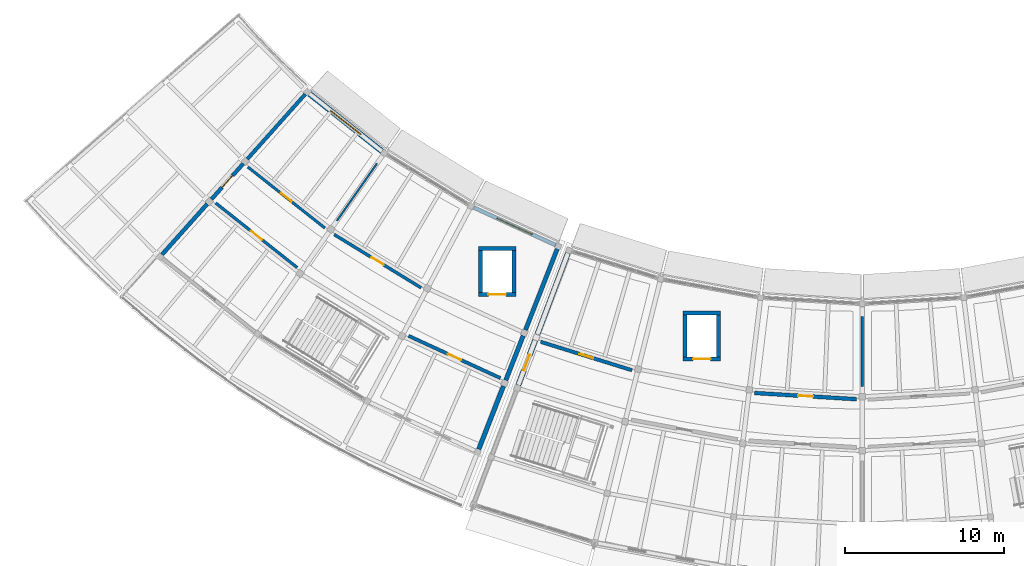
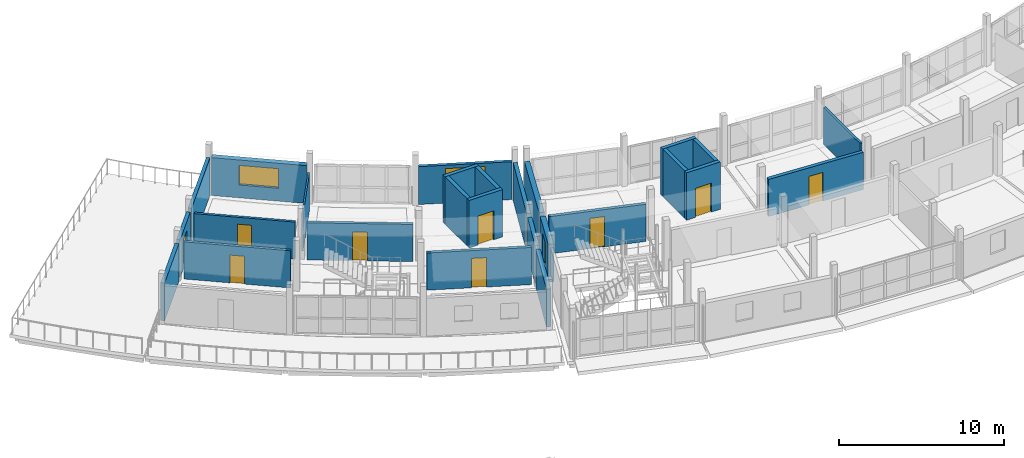
# One storey, part 26 of 36: 26 walls, 10 doors, 2 windows, 12 openings.
"""IFC4 building model written with IfcOpenShell, lengths in metres."""

from ifc_helpers import new_model, si_unit, direction, frame, frame_2d, origin, place, context, subcontext, project, spatial, rectangle, extrude, material, layer, layer_set, type_object, element, fill, save


model = new_model("IFC4")

# Units and contexts
model_context = context("Model", 3, precision=1e-05, world=origin(), true_north=direction((0.0, 1.0)))
body_context = subcontext(model_context, "Body", "Model", "MODEL_VIEW")
ifc_project = project(units=[si_unit("LENGTHUNIT", "METRE"), si_unit("AREAUNIT", "SQUARE_METRE"), si_unit("VOLUMEUNIT", "CUBIC_METRE"), si_unit("PLANEANGLEUNIT", "RADIAN"), si_unit("MASSUNIT", "GRAM", prefix="KILO")], contexts=[model_context])

# Site, building, storey
site_placement = place(None, origin())
site = spatial("IfcSite", under=ifc_project, at=site_placement, CompositionType="ELEMENT")
building_placement = place(site_placement, origin())
building = spatial("IfcBuilding", under=site, at=building_placement, Name="Caldaven Crescent School", CompositionType="ELEMENT")
storey_placement = place(building_placement, frame((0.0, 0.0, 11.89990234375)))
storey = spatial("IfcBuildingStorey", under=building, at=storey_placement, Name="L03", CompositionType="ELEMENT", Elevation=11.89990234375)

# Wall
ifc_material_1 = material(Name="Concrete C35/45", Category="concrete")
ifc_layer_1 = layer(ifc_material_1, 0.300048828125)
ifc_layer_set_1 = layer_set([ifc_layer_1], Name="Concrete C35/45")
wall_type_1 = type_object("IfcWallType", Name="WAL-CW1", PredefinedType="SHEAR", material=ifc_layer_set_1)
wall_1_placement = place(storey_placement, frame((63.85107421875, 47.0380859375, 0.0), z_axis=(0.0, 0.0, 1.0), x_axis=(1.0, 0.0, 0.0)))
element("IfcWall", 1, at=wall_1_placement, inside=storey, type_object=wall_type_1, Name="CW-LF4-L03-N", PredefinedType="SHEAR", context=body_context, shape_type="SweptSolid", body=[
    extrude(rectangle(XDim=2.349853515625, YDim=0.25, at=frame_2d((1.1748046875, 0.0))), origin(), (0.0, 0.0, 1.0), 3.510009765625),
])

# Wall, opening, door
wall_2_placement = place(storey_placement, frame((63.85107421875, 44.13818359375, 0.0), z_axis=(0.0, 0.0, 1.0), x_axis=(1.0, 0.0, 0.0)))
wall_2 = element("IfcWall", 2, at=wall_2_placement, inside=storey, type_object=wall_type_1, Name="CW-LF4-L03-S", PredefinedType="SHEAR", context=body_context, shape_type="SweptSolid", body=[
    extrude(rectangle(XDim=2.349853515625, YDim=0.25, at=frame_2d((1.1748046875, 0.0))), origin(), (0.0, 0.0, 1.0), 3.510009765625),
])
opening_1_placement = place(wall_2_placement, frame((0.625, 0.0, 0.0)))
opening_1 = element("IfcOpeningElement", 3, at=opening_1_placement, cuts=wall_2, Name="Opening LD-LF4-L03", PredefinedType="OPENING", context=body_context, shape_type="SweptSolid", body=[
    extrude(rectangle(XDim=1.10009765625, YDim=2.14990234375, at=frame_2d((0.550048828125, 1.074951171875))), frame((0.0, 0.135009765625, 0.0), z_axis=(0.0, -1.0, 0.0), x_axis=(1.0, 0.0, 0.0)), (0.0, 0.0, 1.0), 0.27001953125),
])
ifc_material_2 = material(Name="Brushed stainless-steel automatic telescopic landing door", Category="steel")
door_type_1 = type_object("IfcDoorType", Name="DOR-LD01", OperationType="DOUBLE_DOOR_SLIDING", PredefinedType="DOOR", material=ifc_material_2)
door_1_placement = place(opening_1_placement, origin())
door_1 = element("IfcDoor", 4, at=door_1_placement, inside=storey, type_object=door_type_1, Name="DOR-LD-LF4-L03", OperationType="DOUBLE_DOOR_SLIDING", OverallHeight=2.14990234375, OverallWidth=1.10009765625, PredefinedType="DOOR", context=body_context, shape_type="SweptSolid", body=[
    extrude(rectangle(XDim=1.10009765625, YDim=2.14990234375, at=frame_2d((0.550048828125, 1.074951171875))), frame((0.0, 0.02490234375, 0.0), z_axis=(0.0, -1.0, 0.0), x_axis=(1.0, 0.0, 0.0)), (0.0, 0.0, 1.0), 0.050048828125),
])
fill(opening_1, door_1)

# Wall
wall_3_placement = place(storey_placement, frame((76.729248046875, 42.977783203125, 0.0), z_axis=(0.0, 0.0, 1.0), x_axis=(1.0, 0.0, 0.0)))
element("IfcWall", 5, at=wall_3_placement, inside=storey, type_object=wall_type_1, Name="CW-LF5-L03-N", PredefinedType="SHEAR", context=body_context, shape_type="SweptSolid", body=[
    extrude(rectangle(XDim=2.349853515625, YDim=0.25, at=frame_2d((1.1748046875, 0.0))), origin(), (0.0, 0.0, 1.0), 3.510009765625),
])

# Wall, opening, door
wall_4_placement = place(storey_placement, frame((76.729248046875, 40.07763671875, 0.0), z_axis=(0.0, 0.0, 1.0), x_axis=(1.0, 0.0, 0.0)))
wall_4 = element("IfcWall", 6, at=wall_4_placement, inside=storey, type_object=wall_type_1, Name="CW-LF5-L03-S", PredefinedType="SHEAR", context=body_context, shape_type="SweptSolid", body=[
    extrude(rectangle(XDim=2.349853515625, YDim=0.25, at=frame_2d((1.1748046875, 0.0))), origin(), (0.0, 0.0, 1.0), 3.510009765625),
])
opening_2_placement = place(wall_4_placement, frame((0.625, 0.0, 0.0)))
opening_2 = element("IfcOpeningElement", 7, at=opening_2_placement, cuts=wall_4, Name="Opening LD-LF5-L03", PredefinedType="OPENING", context=body_context, shape_type="SweptSolid", body=[
    extrude(rectangle(XDim=1.10009765625, YDim=2.14990234375, at=frame_2d((0.550048828125, 1.074951171875))), frame((0.0, 0.135009765625, 0.0), z_axis=(0.0, -1.0, 0.0), x_axis=(1.0, 0.0, 0.0)), (0.0, 0.0, 1.0), 0.27001953125),
])
door_2_placement = place(opening_2_placement, origin())
door_2 = element("IfcDoor", 8, at=door_2_placement, inside=storey, type_object=door_type_1, Name="DOR-LD-LF5-L03", OperationType="DOUBLE_DOOR_SLIDING", OverallHeight=2.14990234375, OverallWidth=1.10009765625, PredefinedType="DOOR", context=body_context, shape_type="SweptSolid", body=[
    extrude(rectangle(XDim=1.10009765625, YDim=2.14990234375, at=frame_2d((0.550048828125, 1.074951171875))), frame((0.0, 0.02490234375, 0.0), z_axis=(0.0, -1.0, 0.0), x_axis=(1.0, 0.0, 0.0)), (0.0, 0.0, 1.0), 0.050048828125),
])
fill(opening_2, door_2)

# Walls
ifc_layer_2 = layer(ifc_material_1, 0.25)
ifc_layer_set_2 = layer_set([ifc_layer_2], Name="Concrete C35/45")
wall_type_2 = type_object("IfcWallType", Name="WAL-CW2", PredefinedType="SHEAR", material=ifc_layer_set_2)
for number, where, z_axis, x_axis, name in (
    (9, (63.97607421875, 44.26318359375, 0.0), (0.0, 0.0, 1.0), (0.0, 1.0, 0.0), "CW-LF4-L03-W"),
    (10, (66.075927734375, 44.26318359375, 0.0), (0.0, 0.0, 1.0), (0.0, 1.0, 0.0), "CW-LF4-L03-E"),
):
    element("IfcWall", number, at=place(storey_placement, frame(where, z_axis=z_axis, x_axis=x_axis)), inside=storey, type_object=wall_type_2, Name=name, PredefinedType="SHEAR", context=body_context, shape_type="SweptSolid", body=[
        extrude(rectangle(XDim=2.64990234375, YDim=0.25, at=frame_2d((1.324951171875, 0.0))), origin(), (0.0, 0.0, 1.0), 3.510009765625),
    ])
for number, where, z_axis, x_axis, name in (
    (11, (76.854248046875, 40.20263671875, 0.0), (0.0, 0.0, 1.0), (0.0, 1.0, 0.0), "CW-LF5-L03-W"),
    (12, (78.9541015625, 40.20263671875, 0.0), (0.0, 0.0, 1.0), (0.0, 1.0, 0.0), "CW-LF5-L03-E"),
):
    element("IfcWall", number, at=place(storey_placement, frame(where, z_axis=z_axis, x_axis=x_axis)), inside=storey, type_object=wall_type_2, Name=name, PredefinedType="SHEAR", context=body_context, shape_type="SweptSolid", body=[
        extrude(rectangle(XDim=2.650146484375, YDim=0.25, at=frame_2d((1.3251953125, 0.0))), origin(), (0.0, 0.0, 1.0), 3.510009765625),
    ])

# Wall, opening, window
ifc_material_3 = material(Name="Precast concrete C35/45", Category="concrete")
ifc_layer_3 = layer(ifc_material_3, 0.2041015625)
ifc_layer_set_3 = layer_set([ifc_layer_3], Name="Precast concrete C35/45")
wall_type_3 = type_object("IfcWallType", Name="WAL-EW02", PredefinedType="STANDARD", material=ifc_layer_set_3)
wall_5_placement = place(storey_placement, frame((63.54248046875, 49.613037109375, 0.0), z_axis=(0.0, 0.0, 1.0), x_axis=(0.908521142785, -0.417838884156, 0.0)))
wall_5 = element("IfcWall", 13, at=wall_5_placement, inside=storey, type_object=wall_type_3, Name="EW-L03-197", PredefinedType="STANDARD", context=body_context, shape_type="SweptSolid", body=[
    extrude(rectangle(XDim=5.677490234375, YDim=0.2041015625, at=frame_2d((2.8388671875, 0.0))), origin(), (0.0, 0.0, 1.0), 2.800048828125),
])
opening_3_placement = place(wall_5_placement, frame((1.628662109375, 0.0, 0.949951171875)))
opening_3 = element("IfcOpeningElement", 14, at=opening_3_placement, cuts=wall_5, Name="Opening W48", PredefinedType="OPENING", context=body_context, shape_type="SweptSolid", body=[
    extrude(rectangle(XDim=2.419921875, YDim=1.60009765625, at=frame_2d((1.2099609375, 0.800048828125))), frame((0.0, 0.112060546875, 0.0), z_axis=(0.0, -1.0, 0.0), x_axis=(1.0, 0.0, 0.0)), (0.0, 0.0, 1.0), 0.22412109375),
])
ifc_material_4 = material(Name="Thermally broken anodised aluminium AA 6063-T6 and low-E double glazing", Category="aluminium")
window_type_1 = type_object("IfcWindowType", Name="WIN-W48", PartitioningType="SINGLE_PANEL", PredefinedType="WINDOW", material=ifc_material_4)
window_1_placement = place(opening_3_placement, origin())
window_1 = element("IfcWindow", 15, at=window_1_placement, inside=storey, type_object=window_type_1, Name="WIN-L03-095-1", OverallHeight=1.60009765625, OverallWidth=2.419921875, PartitioningType="SINGLE_PANEL", PredefinedType="WINDOW", context=body_context, shape_type="SweptSolid", body=[
    extrude(rectangle(XDim=2.419921875, YDim=1.60009765625, at=frame_2d((1.2099609375, 0.800048828125))), frame((0.0, 0.030029296875, 0.0), z_axis=(0.0, -1.0, 0.0), x_axis=(1.0, 0.0, 0.0)), (0.0, 0.0, 1.0), 0.06005859375),
])
fill(opening_3, window_1)

# Wall
ifc_layer_4 = layer(ifc_material_3, 0.22802734375)
ifc_layer_set_4 = layer_set([ifc_layer_4], Name="Precast concrete C35/45")
wall_type_4 = type_object("IfcWallType", Name="WAL-EW04", PredefinedType="STANDARD", material=ifc_layer_set_4)
wall_6_placement = place(storey_placement, frame((52.942138671875, 56.741943359375, 0.0), z_axis=(0.0, 0.0, 1.0), x_axis=(-0.666068996659, -0.745890133793, 0.0)))
element("IfcWall", 16, at=wall_6_placement, inside=storey, type_object=wall_type_4, Name="EW-L03-199", PredefinedType="STANDARD", context=body_context, shape_type="SweptSolid", body=[
    extrude(rectangle(XDim=5.46875, YDim=0.22802734375, at=frame_2d((2.734375, 0.0))), origin(), (0.0, 0.0, 1.0), 2.800048828125),
])

# Wall, opening, door
ifc_layer_5 = layer(ifc_material_3, 0.239990234375)
ifc_layer_set_5 = layer_set([ifc_layer_5], Name="Precast concrete C35/45")
wall_type_5 = type_object("IfcWallType", Name="WAL-EW05", PredefinedType="STANDARD", material=ifc_layer_set_5)
wall_7_placement = place(storey_placement, frame((49.03564453125, 52.367431640625, 0.0), z_axis=(0.0, 0.0, 1.0), x_axis=(-0.666077136643, -0.745882864826, 0.0)))
wall_7 = element("IfcWall", 17, at=wall_7_placement, inside=storey, type_object=wall_type_5, Name="EW-L03-200", PredefinedType="STANDARD", context=body_context, shape_type="SweptSolid", body=[
    extrude(rectangle(XDim=3.004150390625, YDim=0.239990234375, at=frame_2d((1.501953125, 0.0))), origin(), (0.0, 0.0, 1.0), 2.800048828125),
])
opening_4_placement = place(wall_7_placement, frame((1.001953125, 0.0, 0.0)))
opening_4 = element("IfcOpeningElement", 18, at=opening_4_placement, cuts=wall_7, Name="Opening D-L03-E033", PredefinedType="OPENING", context=body_context, shape_type="SweptSolid", body=[
    extrude(rectangle(XDim=1.0, YDim=2.14990234375, at=frame_2d((0.5, 1.074951171875))), frame((0.0, 0.1298828125, 0.0), z_axis=(0.0, -1.0, 0.0), x_axis=(1.0, 0.0, 0.0)), (0.0, 0.0, 1.0), 0.260009765625),
])
ifc_material_5 = material(Name="Thermally broken bronze-anodised aluminium and laminated safety glass", Category="aluminium")
door_type_2 = type_object("IfcDoorType", Name="DOR-EX02", OperationType="NOTDEFINED", PredefinedType="DOOR", material=ifc_material_5)
door_3_placement = place(opening_4_placement, frame((1.0, 0.0, 0.0), z_axis=(0.0, 0.0, 1.0), x_axis=(-1.0, 0.0, 0.0)))
door_3 = element("IfcDoor", 19, at=door_3_placement, inside=storey, type_object=door_type_2, Name="DOR-EXT-L03-033", OperationType="SINGLE_SWING_RIGHT", OverallHeight=2.14990234375, OverallWidth=1.0, PredefinedType="DOOR", context=body_context, shape_type="SweptSolid", body=[
    extrude(rectangle(XDim=1.0, YDim=2.14990234375, at=frame_2d((0.5, 1.074951171875))), frame((0.0, 0.02490234375, 0.0), z_axis=(0.0, -1.0, 0.0), x_axis=(1.0, 0.0, 0.0)), (0.0, 0.0, 1.0), 0.050048828125),
])
fill(opening_4, door_3)

# Walls
ifc_layer_6 = layer(ifc_material_3, 0.251953125)
ifc_layer_set_6 = layer_set([ifc_layer_6], Name="Precast concrete C35/45")
wall_type_6 = type_object("IfcWallType", Name="WAL-EW06", PredefinedType="STANDARD", material=ifc_layer_set_6)
wall_8_placement = place(storey_placement, frame((46.77099609375, 49.83154296875, 0.0), z_axis=(0.0, 0.0, 1.0), x_axis=(-0.666062362194, -0.74589605822, 0.0)))
element("IfcWall", 20, at=wall_8_placement, inside=storey, type_object=wall_type_6, Name="EW-L03-201", PredefinedType="STANDARD", context=body_context, shape_type="SweptSolid", body=[
    extrude(rectangle(XDim=4.26904296875, YDim=0.251953125, at=frame_2d((2.134521484375, 0.0))), origin(), (0.0, 0.0, 1.0), 2.800048828125),
])
ifc_layer_7 = layer(ifc_material_3, 0.263916015625)
ifc_layer_set_7 = layer_set([ifc_layer_7], Name="Precast concrete C35/45")
wall_type_7 = type_object("IfcWallType", Name="WAL-EW07", PredefinedType="STANDARD", material=ifc_layer_set_7)
wall_9_placement = place(storey_placement, frame((68.800048828125, 46.993896484375, 0.0), z_axis=(0.0, 0.0, 1.0), x_axis=(-0.364769628664, -0.931097802599, 0.0)))
element("IfcWall", 21, at=wall_9_placement, inside=storey, type_object=wall_type_7, Name="EW-L03-202", PredefinedType="STANDARD", context=body_context, shape_type="SweptSolid", body=[
    extrude(rectangle(XDim=5.46875, YDim=0.263916015625, at=frame_2d((2.734375, 0.0))), origin(), (0.0, 0.0, 1.0), 2.800048828125),
])
ifc_layer_8 = layer(ifc_material_3, 0.27587890625)
ifc_layer_set_8 = layer_set([ifc_layer_8], Name="Precast concrete C35/45")
wall_type_8 = type_object("IfcWallType", Name="WAL-EW08", PredefinedType="STANDARD", material=ifc_layer_set_8)
wall_10_placement = place(storey_placement, frame((66.66064453125, 41.532958984375, 0.0), z_axis=(0.0, 0.0, 1.0), x_axis=(-0.364767061135, -0.931098808458, 0.0)))
element("IfcWall", 22, at=wall_10_placement, inside=storey, type_object=wall_type_8, Name="EW-L03-203", PredefinedType="STANDARD", context=body_context, shape_type="SweptSolid", body=[
    extrude(rectangle(XDim=3.00390625, YDim=0.27587890625, at=frame_2d((1.501953125, 0.0))), origin(), (0.0, 0.0, 1.0), 2.800048828125),
])
ifc_layer_9 = layer(ifc_material_3, 0.2880859375)
ifc_layer_set_9 = layer_set([ifc_layer_9], Name="Precast concrete C35/45")
wall_type_9 = type_object("IfcWallType", Name="WAL-EW09", PredefinedType="STANDARD", material=ifc_layer_set_9)
wall_11_placement = place(storey_placement, frame((65.42041015625, 38.367431640625, 0.0), z_axis=(0.0, 0.0, 1.0), x_axis=(-0.364804695314, -0.931084064023, 0.0)))
element("IfcWall", 23, at=wall_11_placement, inside=storey, type_object=wall_type_9, Name="EW-L03-204", PredefinedType="STANDARD", context=body_context, shape_type="SweptSolid", body=[
    extrude(rectangle(XDim=4.26904296875, YDim=0.2880859375, at=frame_2d((2.134521484375, 0.0))), origin(), (0.0, 0.0, 1.0), 2.800048828125),
])
ifc_layer_10 = layer(ifc_material_3, 0.3359375)
ifc_layer_set_10 = layer_set([ifc_layer_10], Name="Precast concrete C35/45")
wall_type_10 = type_object("IfcWallType", Name="WAL-EW13", PredefinedType="STANDARD", material=ifc_layer_set_10)
wall_12_placement = place(storey_placement, frame((69.476806640625, 46.734130859375, 0.0), z_axis=(0.0, 0.0, 1.0), x_axis=(-0.351945179515, -0.936020614418, 0.0)))
element("IfcWall", 24, at=wall_12_placement, inside=storey, type_object=wall_type_10, Name="EW-L03-208", PredefinedType="STANDARD", context=body_context, shape_type="SweptSolid", body=[
    extrude(rectangle(XDim=5.468994140625, YDim=0.3359375, at=frame_2d((2.734375, 0.0))), origin(), (0.0, 0.0, 1.0), 2.800048828125),
])

# Wall, opening, window
ifc_layer_11 = layer(ifc_material_3, 0.347900390625)
ifc_layer_set_11 = layer_set([ifc_layer_11], Name="Precast concrete C35/45")
wall_type_11 = type_object("IfcWallType", Name="WAL-EW14", PredefinedType="STANDARD", material=ifc_layer_set_11)
wall_13_placement = place(storey_placement, frame((53.20751953125, 56.764892578125, 0.0), z_axis=(0.0, 0.0, 1.0), x_axis=(0.783894481117, -0.620894067031, 0.0)))
wall_13 = element("IfcWall", 25, at=wall_13_placement, inside=storey, type_object=wall_type_11, Name="EW-L03-195", PredefinedType="STANDARD", context=body_context, shape_type="SweptSolid", body=[
    extrude(rectangle(XDim=5.823486328125, YDim=0.347900390625, at=frame_2d((2.91162109375, 0.0))), origin(), (0.0, 0.0, 1.0), 2.800048828125),
])
opening_5_placement = place(wall_13_placement, frame((1.70166015625, 0.0, 0.949951171875)))
opening_5 = element("IfcOpeningElement", 26, at=opening_5_placement, cuts=wall_13, Name="Opening W47", PredefinedType="OPENING", context=body_context, shape_type="SweptSolid", body=[
    extrude(rectangle(XDim=2.419921875, YDim=1.449951171875, at=frame_2d((1.2099609375, 0.72509765625))), frame((0.0, 0.183837890625, 0.0), z_axis=(0.0, -1.0, 0.0), x_axis=(1.0, 0.0, 0.0)), (0.0, 0.0, 1.0), 0.367919921875),
])
window_type_2 = type_object("IfcWindowType", Name="WIN-W47", PartitioningType="SINGLE_PANEL", PredefinedType="WINDOW", material=ifc_material_4)
window_2_placement = place(opening_5_placement, origin())
window_2 = element("IfcWindow", 27, at=window_2_placement, inside=storey, type_object=window_type_2, Name="WIN-L03-094-1", OverallHeight=1.449951171875, OverallWidth=2.419921875, PartitioningType="SINGLE_PANEL", PredefinedType="WINDOW", context=body_context, shape_type="SweptSolid", body=[
    extrude(rectangle(XDim=2.419921875, YDim=1.449951171875, at=frame_2d((1.2099609375, 0.72509765625))), frame((0.0, 0.030029296875, 0.0), z_axis=(0.0, -1.0, 0.0), x_axis=(1.0, 0.0, 0.0)), (0.0, 0.0, 1.0), 0.06005859375),
])
fill(opening_5, window_2)

# Wall, opening, door
wall_14_placement = place(storey_placement, frame((67.41259765625, 41.244384765625, 0.0), z_axis=(0.0, 0.0, 1.0), x_axis=(-0.35191601468, -0.936031579922, 0.0)))
wall_14 = element("IfcWall", 28, at=wall_14_placement, inside=storey, type_object=wall_type_11, Name="EW-L03-209", PredefinedType="STANDARD", context=body_context, shape_type="SweptSolid", body=[
    extrude(rectangle(XDim=3.00390625, YDim=0.347900390625, at=frame_2d((1.501953125, 0.0))), origin(), (0.0, 0.0, 1.0), 2.800048828125),
])
opening_6_placement = place(wall_14_placement, frame((0.971923828125, 0.0, 0.0)))
opening_6 = element("IfcOpeningElement", 29, at=opening_6_placement, cuts=wall_14, Name="Opening D-L03-E034", PredefinedType="OPENING", context=body_context, shape_type="SweptSolid", body=[
    extrude(rectangle(XDim=1.06005859375, YDim=2.179931640625, at=frame_2d((0.530029296875, 1.08984375))), frame((0.0, 0.183837890625, 0.0), z_axis=(0.0, -1.0, 0.0), x_axis=(1.0, 0.0, 0.0)), (0.0, 0.0, 1.0), 0.367919921875),
])
door_type_3 = type_object("IfcDoorType", Name="DOR-EX03", OperationType="NOTDEFINED", PredefinedType="DOOR", material=ifc_material_5)
door_4_placement = place(opening_6_placement, frame((1.06005859375, 0.0, 0.0), z_axis=(0.0, 0.0, 1.0), x_axis=(-1.0, 0.0, 0.0)))
door_4 = element("IfcDoor", 30, at=door_4_placement, inside=storey, type_object=door_type_3, Name="DOR-EXT-L03-034", OperationType="SINGLE_SWING_LEFT", OverallHeight=2.179931640625, OverallWidth=1.06005859375, PredefinedType="DOOR", context=body_context, shape_type="SweptSolid", body=[
    extrude(rectangle(XDim=1.06005859375, YDim=2.179931640625, at=frame_2d((0.530029296875, 1.08984375))), frame((0.0, 0.02490234375, 0.0), z_axis=(0.0, -1.0, 0.0), x_axis=(1.0, 0.0, 0.0)), (0.0, 0.0, 1.0), 0.050048828125),
])
fill(opening_6, door_4)

ifc_material_6 = material(Name="Acoustic timber-stud and fire-rated gypsum board assembly", Category="wood")
ifc_layer_12 = layer(ifc_material_6, 0.169921875)
ifc_layer_set_12 = layer_set([ifc_layer_12], Name="Acoustic timber-stud and fire-rated gypsum board assembly")
wall_type_12 = type_object("IfcWallType", Name="WAL-IW02", PredefinedType="STANDARD", material=ifc_layer_set_12)
wall_15_placement = place(storey_placement, frame((49.329833984375, 52.157470703125, 0.0), z_axis=(0.0, 0.0, 1.0), x_axis=(0.783880806515, -0.620911331171, 0.0)))
wall_15 = element("IfcWall", 31, at=wall_15_placement, inside=storey, type_object=wall_type_12, Name="IW-L03-0257", PredefinedType="STANDARD", context=body_context, shape_type="SweptSolid", body=[
    extrude(rectangle(XDim=6.18115234375, YDim=0.169921875, at=frame_2d((3.090576171875, 0.0))), origin(), (0.0, 0.0, 1.0), 2.75),
])
opening_7_placement = place(wall_15_placement, frame((2.660400390625, 0.0, 0.0)))
opening_7 = element("IfcOpeningElement", 32, at=opening_7_placement, cuts=wall_15, Name="Opening D-L03-I183", PredefinedType="OPENING", context=body_context, shape_type="SweptSolid", body=[
    extrude(rectangle(XDim=0.860107421875, YDim=2.239990234375, at=frame_2d((0.43017578125, 1.1201171875))), frame((0.0, 0.094970703125, 0.0), z_axis=(0.0, -1.0, 0.0), x_axis=(1.0, 0.0, 0.0)), (0.0, 0.0, 1.0), 0.18994140625),
])
ifc_material_7 = material(Name="Solid-core Pino Radiata acoustic timber leaf in steel frame", Category="steel")
door_type_4 = type_object("IfcDoorType", Name="DOR-ID04", OperationType="NOTDEFINED", PredefinedType="DOOR", material=ifc_material_7)
door_5_placement = place(opening_7_placement, frame((0.860107421875, 0.0, 0.0), z_axis=(0.0, 0.0, 1.0), x_axis=(-1.0, 0.0, 0.0)))
door_5 = element("IfcDoor", 33, at=door_5_placement, inside=storey, type_object=door_type_4, Name="DOR-INT-L03-0183", OperationType="SINGLE_SWING_RIGHT", OverallHeight=2.239990234375, OverallWidth=0.860107421875, PredefinedType="DOOR", context=body_context, shape_type="SweptSolid", body=[
    extrude(rectangle(XDim=0.860107421875, YDim=2.239990234375, at=frame_2d((0.43017578125, 1.1201171875))), frame((0.0, 0.02490234375, 0.0), z_axis=(0.0, -1.0, 0.0), x_axis=(1.0, 0.0, 0.0)), (0.0, 0.0, 1.0), 0.050048828125),
])
fill(opening_7, door_5)

ifc_layer_13 = layer(ifc_material_6, 0.179931640625)
ifc_layer_set_13 = layer_set([ifc_layer_13], Name="Acoustic timber-stud and fire-rated gypsum board assembly")
wall_type_13 = type_object("IfcWallType", Name="WAL-IW03", PredefinedType="STANDARD", material=ifc_layer_set_13)
wall_16_placement = place(storey_placement, frame((47.304931640625, 49.889892578125, 0.0), z_axis=(0.0, 0.0, 1.0), x_axis=(0.783889859425, -0.620899901989, 0.0)))
wall_16 = element("IfcWall", 34, at=wall_16_placement, inside=storey, type_object=wall_type_13, Name="IW-L03-0258", PredefinedType="STANDARD", context=body_context, shape_type="SweptSolid", body=[
    extrude(rectangle(XDim=6.539794921875, YDim=0.179931640625, at=frame_2d((3.27001953125, 0.0))), origin(), (0.0, 0.0, 1.0), 2.75),
])
opening_8_placement = place(wall_16_placement, frame((2.81982421875, 0.0, 0.0)))
opening_8 = element("IfcOpeningElement", 35, at=opening_8_placement, cuts=wall_16, Name="Opening D-L03-I184", PredefinedType="OPENING", context=body_context, shape_type="SweptSolid", body=[
    extrude(rectangle(XDim=0.89990234375, YDim=2.06005859375, at=frame_2d((0.449951171875, 1.030029296875))), frame((0.0, 0.099853515625, 0.0), z_axis=(0.0, -1.0, 0.0), x_axis=(1.0, 0.0, 0.0)), (0.0, 0.0, 1.0), 0.199951171875),
])
door_type_5 = type_object("IfcDoorType", Name="DOR-ID05", OperationType="NOTDEFINED", PredefinedType="DOOR", material=ifc_material_7)
door_6_placement = place(opening_8_placement, origin())
door_6 = element("IfcDoor", 36, at=door_6_placement, inside=storey, type_object=door_type_5, Name="DOR-INT-L03-0184", OperationType="SINGLE_SWING_LEFT", OverallHeight=2.06005859375, OverallWidth=0.89990234375, PredefinedType="DOOR", context=body_context, shape_type="SweptSolid", body=[
    extrude(rectangle(XDim=0.89990234375, YDim=2.06005859375, at=frame_2d((0.449951171875, 1.030029296875))), frame((0.0, 0.02490234375, 0.0), z_axis=(0.0, -1.0, 0.0), x_axis=(1.0, 0.0, 0.0)), (0.0, 0.0, 1.0), 0.050048828125),
])
fill(opening_8, door_6)

ifc_layer_14 = layer(ifc_material_6, 0.18994140625)
ifc_layer_set_14 = layer_set([ifc_layer_14], Name="Acoustic timber-stud and fire-rated gypsum board assembly")
wall_type_14 = type_object("IfcWallType", Name="WAL-IW04", PredefinedType="STANDARD", material=ifc_layer_set_14)
wall_17_placement = place(storey_placement, frame((54.76416015625, 47.907958984375, 0.0), z_axis=(0.0, 0.0, 1.0), x_axis=(0.852626937867, -0.522520147767, 0.0)))
wall_17 = element("IfcWall", 37, at=wall_17_placement, inside=storey, type_object=wall_type_14, Name="IW-L03-0259", PredefinedType="STANDARD", context=body_context, shape_type="SweptSolid", body=[
    extrude(rectangle(XDim=6.42041015625, YDim=0.18994140625, at=frame_2d((3.210205078125, 0.0))), origin(), (0.0, 0.0, 1.0), 2.75),
])
opening_9_placement = place(wall_17_placement, frame((2.760009765625, 0.0, 0.0)))
opening_9 = element("IfcOpeningElement", 38, at=opening_9_placement, cuts=wall_17, Name="Opening D-L03-I185", PredefinedType="OPENING", context=body_context, shape_type="SweptSolid", body=[
    extrude(rectangle(XDim=0.89990234375, YDim=2.1201171875, at=frame_2d((0.449951171875, 1.06005859375))), frame((0.0, 0.10498046875, 0.0), z_axis=(0.0, -1.0, 0.0), x_axis=(1.0, 0.0, 0.0)), (0.0, 0.0, 1.0), 0.2099609375),
])
door_type_6 = type_object("IfcDoorType", Name="DOR-ID06", OperationType="NOTDEFINED", PredefinedType="DOOR", material=ifc_material_7)
door_7_placement = place(opening_9_placement, frame((0.89990234375, 0.0, 0.0), z_axis=(0.0, 0.0, 1.0), x_axis=(-1.0, 0.0, 0.0)))
door_7 = element("IfcDoor", 39, at=door_7_placement, inside=storey, type_object=door_type_6, Name="DOR-INT-L03-0185", OperationType="SINGLE_SWING_RIGHT", OverallHeight=2.1201171875, OverallWidth=0.89990234375, PredefinedType="DOOR", context=body_context, shape_type="SweptSolid", body=[
    extrude(rectangle(XDim=0.89990234375, YDim=2.1201171875, at=frame_2d((0.449951171875, 1.06005859375))), frame((0.0, 0.02490234375, 0.0), z_axis=(0.0, -1.0, 0.0), x_axis=(1.0, 0.0, 0.0)), (0.0, 0.0, 1.0), 0.050048828125),
])
fill(opening_9, door_7)

ifc_layer_15 = layer(ifc_material_6, 0.2099609375)
ifc_layer_set_15 = layer_set([ifc_layer_15], Name="Acoustic timber-stud and fire-rated gypsum board assembly")
wall_type_15 = type_object("IfcWallType", Name="WAL-IW06", PredefinedType="STANDARD", material=ifc_layer_set_15)
wall_18_placement = place(storey_placement, frame((59.445068359375, 41.53076171875, 0.0), z_axis=(0.0, 0.0, 1.0), x_axis=(0.908519558618, -0.417842328647, 0.0)))
wall_18 = element("IfcWall", 40, at=wall_18_placement, inside=storey, type_object=wall_type_15, Name="IW-L03-0261", PredefinedType="STANDARD", context=body_context, shape_type="SweptSolid", body=[
    extrude(rectangle(XDim=6.36865234375, YDim=0.2099609375, at=frame_2d((3.184326171875, 0.0))), origin(), (0.0, 0.0, 1.0), 2.75),
])
opening_10_placement = place(wall_18_placement, frame((2.734375, 0.0, 0.0)))
opening_10 = element("IfcOpeningElement", 41, at=opening_10_placement, cuts=wall_18, Name="Opening D-L03-I186", PredefinedType="OPENING", context=body_context, shape_type="SweptSolid", body=[
    extrude(rectangle(XDim=0.89990234375, YDim=2.179931640625, at=frame_2d((0.449951171875, 1.08984375))), frame((0.0, 0.114990234375, 0.0), z_axis=(0.0, -1.0, 0.0), x_axis=(1.0, 0.0, 0.0)), (0.0, 0.0, 1.0), 0.22998046875),
])
door_type_7 = type_object("IfcDoorType", Name="DOR-ID07", OperationType="NOTDEFINED", PredefinedType="DOOR", material=ifc_material_7)
door_8_placement = place(opening_10_placement, origin())
door_8 = element("IfcDoor", 42, at=door_8_placement, inside=storey, type_object=door_type_7, Name="DOR-INT-L03-0186", OperationType="SINGLE_SWING_LEFT", OverallHeight=2.179931640625, OverallWidth=0.89990234375, PredefinedType="DOOR", context=body_context, shape_type="SweptSolid", body=[
    extrude(rectangle(XDim=0.89990234375, YDim=2.179931640625, at=frame_2d((0.449951171875, 1.08984375))), frame((0.0, 0.02490234375, 0.0), z_axis=(0.0, -1.0, 0.0), x_axis=(1.0, 0.0, 0.0)), (0.0, 0.0, 1.0), 0.050048828125),
])
fill(opening_10, door_8)

ifc_layer_16 = layer(ifc_material_6, 0.219970703125)
ifc_layer_set_16 = layer_set([ifc_layer_16], Name="Acoustic timber-stud and fire-rated gypsum board assembly")
wall_type_16 = type_object("IfcWallType", Name="WAL-IW07", PredefinedType="STANDARD", material=ifc_layer_set_16)
wall_19_placement = place(storey_placement, frame((67.7626953125, 41.154052734375, 0.0), z_axis=(0.0, 0.0, 1.0), x_axis=(0.954756741519, -0.297387902451, 0.0)))
wall_19 = element("IfcWall", 43, at=wall_19_placement, inside=storey, type_object=wall_type_16, Name="IW-L03-0262", PredefinedType="STANDARD", context=body_context, shape_type="SweptSolid", body=[
    extrude(rectangle(XDim=6.018310546875, YDim=0.219970703125, at=frame_2d((3.00927734375, 0.0))), origin(), (0.0, 0.0, 1.0), 2.75),
])
opening_11_placement = place(wall_19_placement, frame((2.55908203125, 0.0, 0.0)))
opening_11 = element("IfcOpeningElement", 44, at=opening_11_placement, cuts=wall_19, Name="Opening D-L03-I187", PredefinedType="OPENING", context=body_context, shape_type="SweptSolid", body=[
    extrude(rectangle(XDim=0.89990234375, YDim=2.239990234375, at=frame_2d((0.449951171875, 1.1201171875))), frame((0.0, 0.119873046875, 0.0), z_axis=(0.0, -1.0, 0.0), x_axis=(1.0, 0.0, 0.0)), (0.0, 0.0, 1.0), 0.239990234375),
])
door_type_8 = type_object("IfcDoorType", Name="DOR-ID08", OperationType="NOTDEFINED", PredefinedType="DOOR", material=ifc_material_7)
door_9_placement = place(opening_11_placement, frame((0.89990234375, 0.0, 0.0), z_axis=(0.0, 0.0, 1.0), x_axis=(-1.0, 0.0, 0.0)))
door_9 = element("IfcDoor", 45, at=door_9_placement, inside=storey, type_object=door_type_8, Name="DOR-INT-L03-0187", OperationType="SINGLE_SWING_RIGHT", OverallHeight=2.239990234375, OverallWidth=0.89990234375, PredefinedType="DOOR", context=body_context, shape_type="SweptSolid", body=[
    extrude(rectangle(XDim=0.89990234375, YDim=2.239990234375, at=frame_2d((0.449951171875, 1.1201171875))), frame((0.0, 0.02490234375, 0.0), z_axis=(0.0, -1.0, 0.0), x_axis=(1.0, 0.0, 0.0)), (0.0, 0.0, 1.0), 0.050048828125),
])
fill(opening_11, door_9)

ifc_layer_17 = layer(ifc_material_6, 0.239990234375)
ifc_layer_set_17 = layer_set([ifc_layer_17], Name="Acoustic timber-stud and fire-rated gypsum board assembly")
wall_type_17 = type_object("IfcWallType", Name="WAL-IW09", PredefinedType="STANDARD", material=ifc_layer_set_17)
wall_20_placement = place(storey_placement, frame((81.232421875, 37.933837890625, 0.0), z_axis=(0.0, 0.0, 1.0), x_axis=(0.998135716959, -0.061033519724, 0.0)))
wall_20 = element("IfcWall", 46, at=wall_20_placement, inside=storey, type_object=wall_type_17, Name="IW-L03-0264", PredefinedType="STANDARD", context=body_context, shape_type="SweptSolid", body=[
    extrude(rectangle(XDim=6.420166015625, YDim=0.239990234375, at=frame_2d((3.2099609375, 0.0))), origin(), (0.0, 0.0, 1.0), 2.75),
])
opening_12_placement = place(wall_20_placement, frame((2.739990234375, 0.0, 0.0)))
opening_12 = element("IfcOpeningElement", 47, at=opening_12_placement, cuts=wall_20, Name="Opening D-L03-I189", PredefinedType="OPENING", context=body_context, shape_type="SweptSolid", body=[
    extrude(rectangle(XDim=0.93994140625, YDim=2.1201171875, at=frame_2d((0.469970703125, 1.06005859375))), frame((0.0, 0.1298828125, 0.0), z_axis=(0.0, -1.0, 0.0), x_axis=(1.0, 0.0, 0.0)), (0.0, 0.0, 1.0), 0.260009765625),
])
door_type_9 = type_object("IfcDoorType", Name="DOR-ID10", OperationType="NOTDEFINED", PredefinedType="DOOR", material=ifc_material_7)
door_10_placement = place(opening_12_placement, frame((0.93994140625, 0.0, 0.0), z_axis=(0.0, 0.0, 1.0), x_axis=(-1.0, 0.0, 0.0)))
door_10 = element("IfcDoor", 48, at=door_10_placement, inside=storey, type_object=door_type_9, Name="DOR-INT-L03-0189", OperationType="SINGLE_SWING_RIGHT", OverallHeight=2.1201171875, OverallWidth=0.93994140625, PredefinedType="DOOR", context=body_context, shape_type="SweptSolid", body=[
    extrude(rectangle(XDim=0.93994140625, YDim=2.1201171875, at=frame_2d((0.469970703125, 1.06005859375))), frame((0.0, 0.02490234375, 0.0), z_axis=(0.0, -1.0, 0.0), x_axis=(1.0, 0.0, 0.0)), (0.0, 0.0, 1.0), 0.050048828125),
])
fill(opening_12, door_10)

# Walls
ifc_material_8 = material(Name="Acoustic double-layer gypsum partition on galvanised steel studs", Category="steel")
ifc_layer_18 = layer(ifc_material_8, 0.110107421875)
ifc_layer_set_18 = layer_set([ifc_layer_18], Name="Acoustic double-layer gypsum partition on galvanised steel studs")
wall_type_18 = type_object("IfcWallType", Name="WAL-PT05", PredefinedType="PARTITIONING", material=ifc_layer_set_18)
wall_21_placement = place(storey_placement, frame((57.45703125, 52.380126953125, 0.0), z_axis=(0.0, 0.0, 1.0), x_axis=(-0.573570334442, -0.819156316858, 0.0)))
element("IfcWall", 49, at=wall_21_placement, inside=storey, type_object=wall_type_18, Name="IW-L03-0260", PredefinedType="PARTITIONING", context=body_context, shape_type="SweptSolid", body=[
    extrude(rectangle(XDim=4.39990234375, YDim=0.110107421875, at=frame_2d((2.199951171875, 0.0))), origin(), (0.0, 0.0, 1.0), 2.75),
])
ifc_layer_19 = layer(ifc_material_8, 0.157958984375)
ifc_layer_set_19 = layer_set([ifc_layer_19], Name="Acoustic double-layer gypsum partition on galvanised steel studs")
wall_type_19 = type_object("IfcWallType", Name="WAL-PT13", PredefinedType="PARTITIONING", material=ifc_layer_set_19)
wall_22_placement = place(storey_placement, frame((88.0, 42.75, 0.0), z_axis=(0.0, 0.0, 1.0), x_axis=(0.0, -1.0, 0.0)))
element("IfcWall", 50, at=wall_22_placement, inside=storey, type_object=wall_type_19, Name="IW-L03-0268", PredefinedType="PARTITIONING", context=body_context, shape_type="SweptSolid", body=[
    extrude(rectangle(XDim=4.39990234375, YDim=0.157958984375, at=frame_2d((2.199951171875, 0.0))), origin(), (0.0, 0.0, 1.0), 2.75),
])

save(model, "model.ifc")
